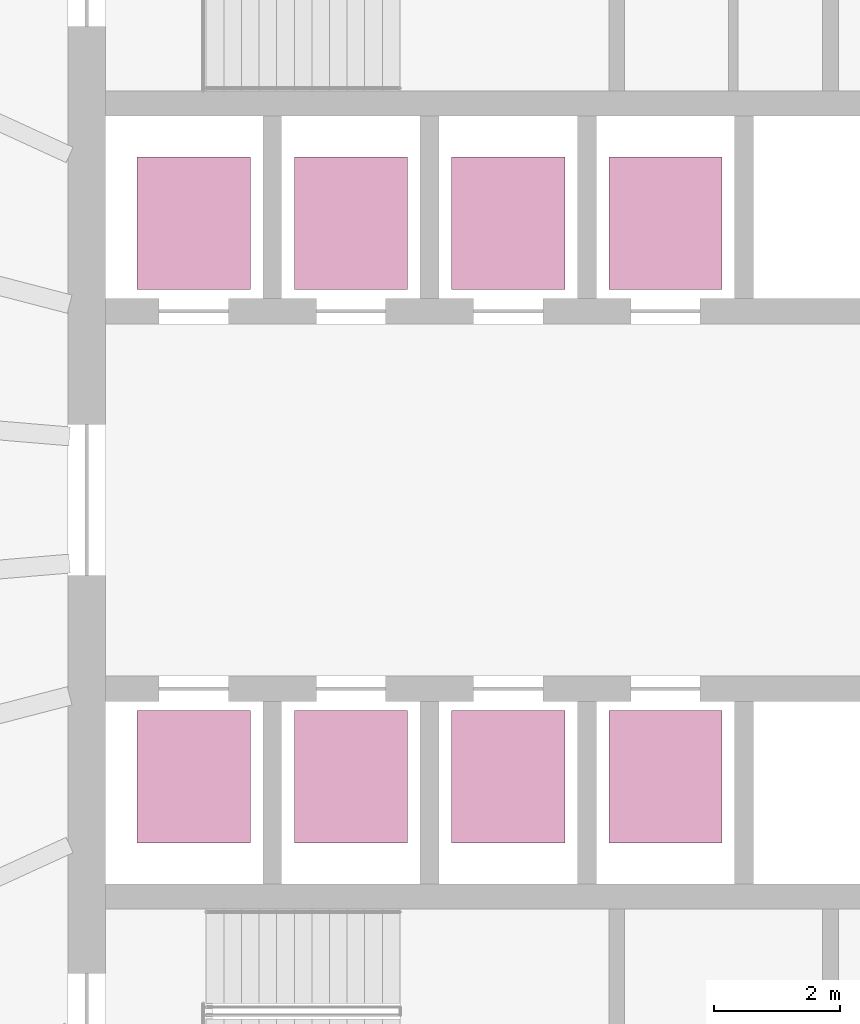
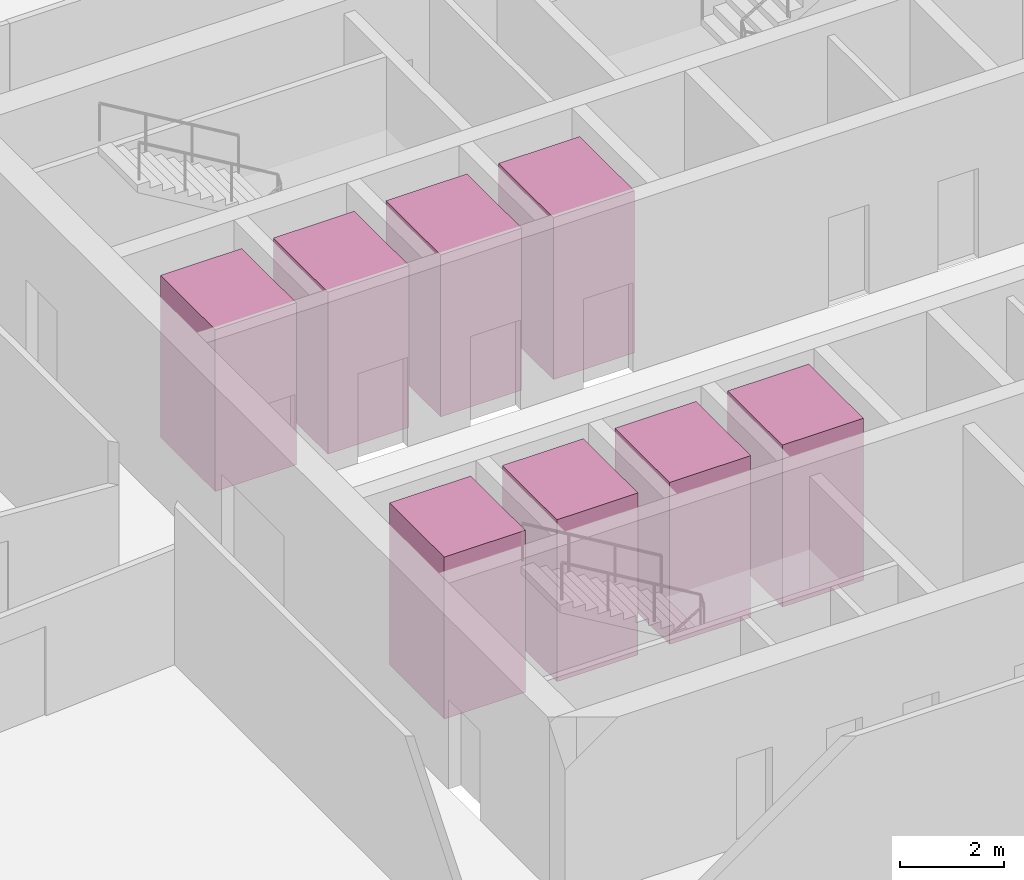
# One storey, part 10 of 10: 8 transport elements.
"""IFC4 building model written with IfcOpenShell, lengths in metres."""

from ifc_helpers import new_model, si_unit, direction, frame, origin, origin_2d, place, context, subcontext, project, spatial, rectangle, extrude, material, type_object, element, save


model = new_model("IFC4")

# Units and contexts
model_context = context("Model", 3, precision=1e-05, world=origin(), true_north=direction((0.0, 1.0)))
body_context = subcontext(model_context, "Body", "Model", "MODEL_VIEW")
ifc_project = project(units=[si_unit("LENGTHUNIT", "METRE"), si_unit("AREAUNIT", "SQUARE_METRE"), si_unit("VOLUMEUNIT", "CUBIC_METRE"), si_unit("PLANEANGLEUNIT", "RADIAN"), si_unit("MASSUNIT", "GRAM", prefix="KILO")], contexts=[model_context])

# Site, building, storey
site_placement = place(None, origin())
site = spatial("IfcSite", under=ifc_project, at=site_placement, CompositionType="ELEMENT")
building_placement = place(site_placement, origin())
building = spatial("IfcBuilding", under=site, at=building_placement, Name="Halqa Exchange Tower", CompositionType="ELEMENT")
storey_placement = place(building_placement, frame((0.0, 0.0, 182.89990234375)))
storey = spatial("IfcBuildingStorey", under=building, at=storey_placement, Name="L41", CompositionType="ELEMENT", Elevation=182.89990234375)

# Transport elements
ifc_material = material(Name="Stainless steel", Category="steel")
transport_element_type_1 = type_object("IfcTransportElementType", Name="High-rise passenger lift 1800 x 2100", PredefinedType="ELEVATOR", material=ifc_material)
for number, where, z_axis, x_axis, name in (
    (1, (-10.0, 4.39990234375, 0.0), (0.0, 0.0, 1.0), (1.0, 0.0, 0.0), "High-rise passenger lift HR1"),
    (2, (-7.5, 4.39990234375, 0.0), (0.0, 0.0, 1.0), (1.0, 0.0, 0.0), "High-rise passenger lift HR2"),
    (3, (-10.0, -4.39990234375, 0.0), (0.0, 0.0, 1.0), (1.0, 0.0, 0.0), "High-rise passenger lift HR3"),
    (4, (-7.5, -4.39990234375, 0.0), (0.0, 0.0, 1.0), (1.0, 0.0, 0.0), "High-rise passenger lift HR4"),
):
    element("IfcTransportElement", number, at=place(storey_placement, frame(where, z_axis=z_axis, x_axis=x_axis)), inside=storey, type_object=transport_element_type_1, Name=name, PredefinedType="ELEVATOR", context=body_context, shape_type="SweptSolid", body=[
        extrude(rectangle(XDim=1.800048828125, YDim=2.10009765625, at=origin_2d()), origin(), (0.0, 0.0, 1.0), 3.800048828125),
    ])
transport_element_type_2 = type_object("IfcTransportElementType", Name="Mid-rise passenger lift 1800 x 2100", PredefinedType="ELEVATOR", material=ifc_material)
for number, where, z_axis, x_axis, name in (
    (5, (-5.0, 4.39990234375, 0.0), (0.0, 0.0, 1.0), (1.0, 0.0, 0.0), "Mid-rise passenger lift MR1"),
    (6, (-2.5, 4.39990234375, 0.0), (0.0, 0.0, 1.0), (1.0, 0.0, 0.0), "Mid-rise passenger lift MR2"),
    (7, (-5.0, -4.39990234375, 0.0), (0.0, 0.0, 1.0), (1.0, 0.0, 0.0), "Mid-rise passenger lift MR3"),
    (8, (-2.5, -4.39990234375, 0.0), (0.0, 0.0, 1.0), (1.0, 0.0, 0.0), "Mid-rise passenger lift MR4"),
):
    element("IfcTransportElement", number, at=place(storey_placement, frame(where, z_axis=z_axis, x_axis=x_axis)), inside=storey, type_object=transport_element_type_2, Name=name, PredefinedType="ELEVATOR", context=body_context, shape_type="SweptSolid", body=[
        extrude(rectangle(XDim=1.800048828125, YDim=2.10009765625, at=origin_2d()), origin(), (0.0, 0.0, 1.0), 3.800048828125),
    ])

save(model, "model.ifc")
